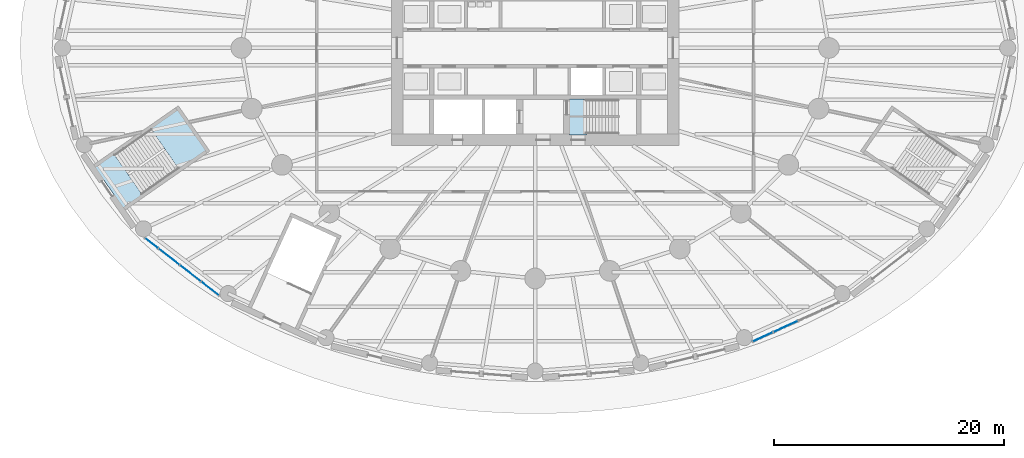
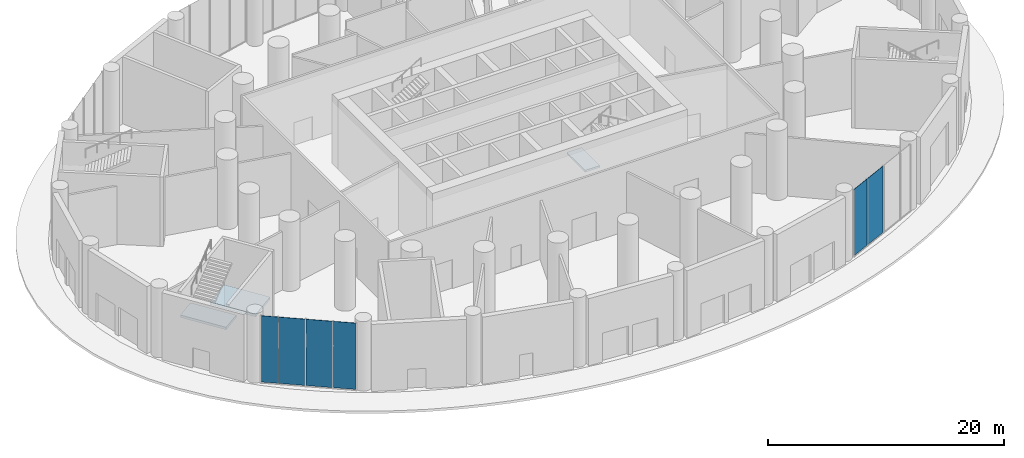
# One storey, part 11 of 22: 6 plates, 3 slabs, 4 elements without a shape of their own.
"""IFC4 building model written with IfcOpenShell, lengths in metres."""

from ifc_helpers import new_model, si_unit, direction, frame, origin, origin_2d, place, context, subcontext, project, spatial, polyline, rectangle, outline, extrude, material, layer, layer_set, type_object, element, aggregate, save


model = new_model("IFC4")

# Units and contexts
model_context = context("Model", 3, precision=1e-05, world=origin(), true_north=direction((0.0, 1.0)))
body_context = subcontext(model_context, "Body", "Model", "MODEL_VIEW")
ifc_project = project(units=[si_unit("LENGTHUNIT", "METRE"), si_unit("AREAUNIT", "SQUARE_METRE"), si_unit("VOLUMEUNIT", "CUBIC_METRE"), si_unit("PLANEANGLEUNIT", "RADIAN"), si_unit("MASSUNIT", "GRAM", prefix="KILO")], contexts=[model_context])

# Site, building, storey
site_placement = place(None, origin())
site = spatial("IfcSite", under=ifc_project, at=site_placement, CompositionType="ELEMENT")
building_placement = place(site_placement, origin())
building = spatial("IfcBuilding", under=site, at=building_placement, Name="Hankou Lantern Tower", CompositionType="ELEMENT")
storey_placement = place(building_placement, origin())
storey = spatial("IfcBuildingStorey", under=building, at=storey_placement, Name="L00", CompositionType="ELEMENT", Elevation=0.0)

# Curtain wall, plates
ifc_material_1 = material(Name="Glass, dark grey tinted laminated", Category="glass")
curtain_wall_type = type_object("IfcCurtainWallType", Name="CWP PODIUM CURTAIN WALL", PredefinedType="USERDEFINED", material=ifc_material_1)
curtain_wall_1_placement = place(storey_placement, origin())
curtain_wall_1 = element("IfcCurtainWall", 1, at=curtain_wall_1_placement, inside=storey, type_object=curtain_wall_type, Name="CWP L00 PC06", ObjectType="PODIUM GLAZING", PredefinedType="USERDEFINED")
ifc_material_2 = material(Name="Glass, dark grey tinted laminated", Category="glass")
ifc_layer_1 = layer(ifc_material_2, 0.037109375)
ifc_layer_set_1 = layer_set([ifc_layer_1], Name="Glass, dark grey tinted laminated")
plate_type = type_object("IfcPlateType", Name="PN2 PODIUM GLASS PANEL", PredefinedType="CURTAIN_PANEL", material=ifc_layer_set_1)
plate_1_placement = place(storey_placement, frame((-33.356689453125, -16.977294921875, 0.079833984375), z_axis=(0.0, 0.0, 1.0), x_axis=(0.790129760642, -0.612939606608, 0.0)))
plate_1 = element("IfcPlate", 2, at=plate_1_placement, type_object=plate_type, Name="CWP glass panel 1", PredefinedType="CURTAIN_PANEL", context=body_context, shape_type="SweptSolid", body=[
    extrude(rectangle(XDim=1.409423828125, YDim=0.031982421875, at=origin_2d()), origin(), (0.0, 0.0, 1.0), 6.8701171875),
])
plate_2_placement = place(storey_placement, frame((-31.83935546875, -18.154296875, 0.079833984375), z_axis=(0.0, 0.0, 1.0), x_axis=(0.790129760642, -0.612939606608, 0.0)))
plate_2 = element("IfcPlate", 3, at=plate_2_placement, type_object=plate_type, Name="CWP glass panel 2", PredefinedType="CURTAIN_PANEL", context=body_context, shape_type="SweptSolid", body=[
    extrude(rectangle(XDim=2.270751953125, YDim=0.031982421875, at=origin_2d()), origin(), (0.0, 0.0, 1.0), 6.8701171875),
])
plate_3_placement = place(storey_placement, frame((-29.98193359375, -19.59521484375, 0.079833984375), z_axis=(0.0, 0.0, 1.0), x_axis=(0.790129760642, -0.612939606608, 0.0)))
plate_3 = element("IfcPlate", 4, at=plate_3_placement, type_object=plate_type, Name="CWP glass panel 3", PredefinedType="CURTAIN_PANEL", context=body_context, shape_type="SweptSolid", body=[
    extrude(rectangle(XDim=2.270751953125, YDim=0.031982421875, at=origin_2d()), origin(), (0.0, 0.0, 1.0), 6.8701171875),
])
plate_4_placement = place(storey_placement, frame((-28.27001953125, -20.923095703125, 0.079833984375), z_axis=(0.0, 0.0, 1.0), x_axis=(0.790129760642, -0.612939606608, 0.0)))
plate_4 = element("IfcPlate", 5, at=plate_4_placement, type_object=plate_type, Name="CWP glass panel 4", PredefinedType="CURTAIN_PANEL", context=body_context, shape_type="SweptSolid", body=[
    extrude(rectangle(XDim=1.90234375, YDim=0.031982421875, at=origin_2d()), origin(), (0.0, 0.0, 1.0), 6.8701171875),
])
aggregate(curtain_wall_1, [plate_1, plate_2, plate_3, plate_4])

curtain_wall_2_placement = place(storey_placement, origin())
curtain_wall_2 = element("IfcCurtainWall", 6, at=curtain_wall_2_placement, inside=storey, type_object=curtain_wall_type, Name="CWP L00 PC07", ObjectType="PODIUM GLAZING", PredefinedType="USERDEFINED")
plate_5_placement = place(storey_placement, frame((19.812744140625, -25.12744140625, 0.079833984375), z_axis=(0.0, 0.0, 1.0), x_axis=(0.909669790944, 0.41533224224, 0.0)))
plate_5 = element("IfcPlate", 7, at=plate_5_placement, type_object=plate_type, Name="CWP glass panel 1", PredefinedType="CURTAIN_PANEL", context=body_context, shape_type="SweptSolid", body=[
    extrude(rectangle(XDim=1.896240234375, YDim=0.031982421875, at=origin_2d()), origin(), (0.0, 0.0, 1.0), 6.8701171875),
])
plate_6_placement = place(storey_placement, frame((21.792236328125, -24.2236328125, 0.079833984375), z_axis=(0.0, 0.0, 1.0), x_axis=(0.909669790944, 0.41533224224, 0.0)))
plate_6 = element("IfcPlate", 8, at=plate_6_placement, type_object=plate_type, Name="CWP glass panel 2", PredefinedType="CURTAIN_PANEL", context=body_context, shape_type="SweptSolid", body=[
    extrude(rectangle(XDim=2.2958984375, YDim=0.031982421875, at=origin_2d()), origin(), (0.0, 0.0, 1.0), 6.8701171875),
])
aggregate(curtain_wall_2, [plate_5, plate_6])

# Stair, slab
ifc_material_3 = material(Name="Concrete C40", Category="concrete")
stair_type_1 = type_object("IfcStairType", Name="ST72 CORE STAIR 7200 RISE", PredefinedType="HALF_TURN_STAIR", material=ifc_material_3)
stair_1_placement = place(storey_placement, origin())
stair_1 = element("IfcStair", 9, at=stair_1_placement, inside=storey, type_object=stair_type_1, Name="Stair STB L00", PredefinedType="HALF_TURN_STAIR")
ifc_material_4 = material(Name="Concrete C40", Category="concrete")
ifc_layer_2 = layer(ifc_material_4, 0.199951171875)
ifc_layer_set_2 = layer_set([ifc_layer_2], Name="Concrete C40")
slab_type_1 = type_object("IfcSlabType", Name="SL1 STAIR LANDING 200", PredefinedType="LANDING", material=ifc_layer_set_2)
slab_1_placement = place(storey_placement, frame((0.0, 0.0, 3.39990234375)))
slab_1 = element("IfcSlab", 10, at=slab_1_placement, type_object=slab_type_1, Name="STB landing 2", PredefinedType="LANDING", context=body_context, shape_type="SweptSolid", body=[
    extrude(outline(polyline([(4.449951171875, -4.449951171875), (3.0, -4.449951171875), (3.0, -7.550048828125), (4.449951171875, -7.550048828125), (4.449951171875, -4.449951171875)])), origin(), (0.0, 0.0, 1.0), 0.2001953125),
])
aggregate(stair_1, [slab_1])

# Stair, slabs
ifc_material_5 = material(Name="Concrete C40", Category="concrete")
stair_type_2 = type_object("IfcStairType", Name="PS72 PODIUM STAIR 7200 RISE", PredefinedType="HALF_TURN_STAIR", material=ifc_material_5)
stair_2_placement = place(storey_placement, origin())
stair_2 = element("IfcStair", 11, at=stair_2_placement, inside=storey, type_object=stair_type_2, Name="Stair P3 L00", PredefinedType="HALF_TURN_STAIR")
ifc_material_6 = material(Name="Concrete C40", Category="concrete")
ifc_layer_3 = layer(ifc_material_6, 0.25)
ifc_layer_set_3 = layer_set([ifc_layer_3], Name="Concrete C40")
slab_type_2 = type_object("IfcSlabType", Name="SL2 PODIUM STAIR LANDING 250", PredefinedType="LANDING", material=ifc_layer_set_3)
slab_2_placement = place(storey_placement, frame((0.0, 0.0, 2.14990234375)))
slab_2 = element("IfcSlab", 12, at=slab_2_placement, type_object=slab_type_2, Name="P3 landing 1", PredefinedType="LANDING", context=body_context, shape_type="SweptSolid", body=[
    extrude(outline(polyline([(-33.439697265625, -7.015380859375), (-30.984130859375, -10.54541015625), (-28.636474609375, -8.912109375), (-31.091796875, -5.382080078125), (-33.439697265625, -7.015380859375)])), origin(), (0.0, 0.0, 1.0), 0.25),
])
slab_3_placement = place(storey_placement, frame((0.0, 0.0, 4.550048828125)))
slab_3 = element("IfcSlab", 13, at=slab_3_placement, type_object=slab_type_2, Name="P3 landing 2", PredefinedType="LANDING", context=body_context, shape_type="SweptSolid", body=[
    extrude(outline(polyline([(-38.283203125, -10.384521484375), (-35.82763671875, -13.91455078125), (-34.16943359375, -12.760986328125), (-36.624755859375, -9.23095703125), (-38.283203125, -10.384521484375)])), origin(), (0.0, 0.0, 1.0), 0.25),
])
aggregate(stair_2, [slab_2, slab_3])

save(model, "model.ifc")
